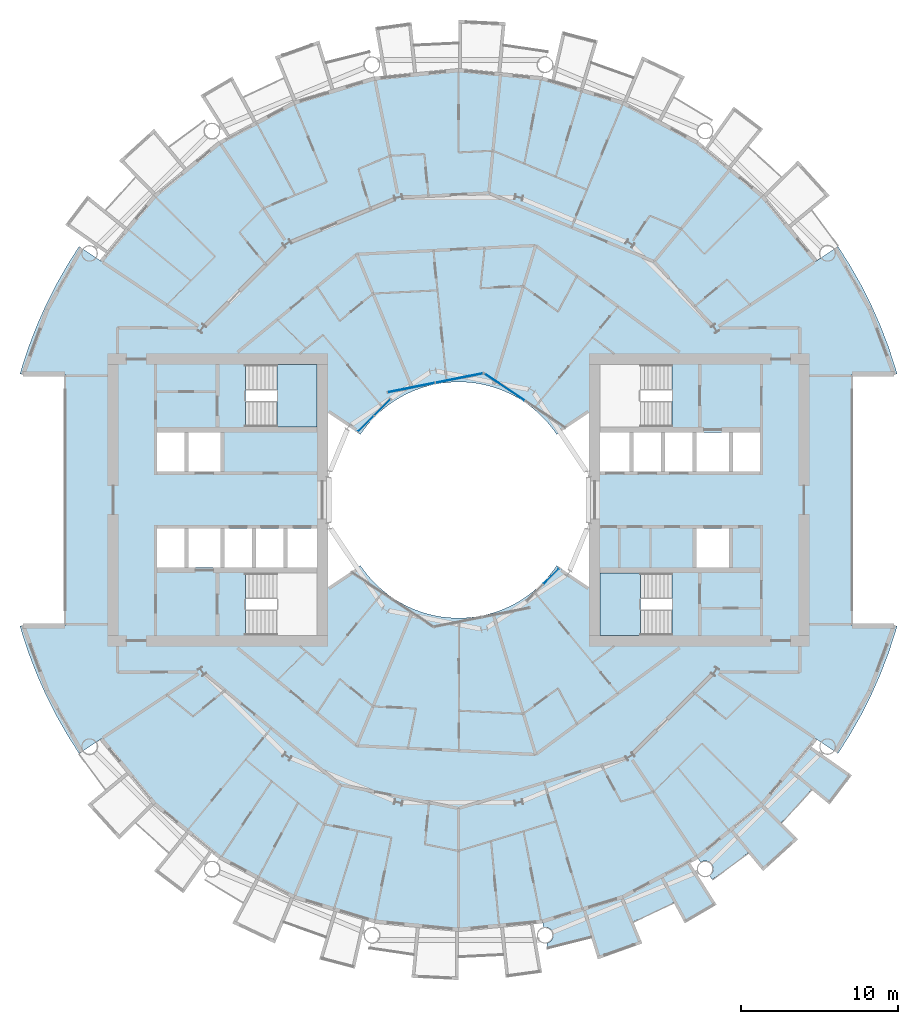
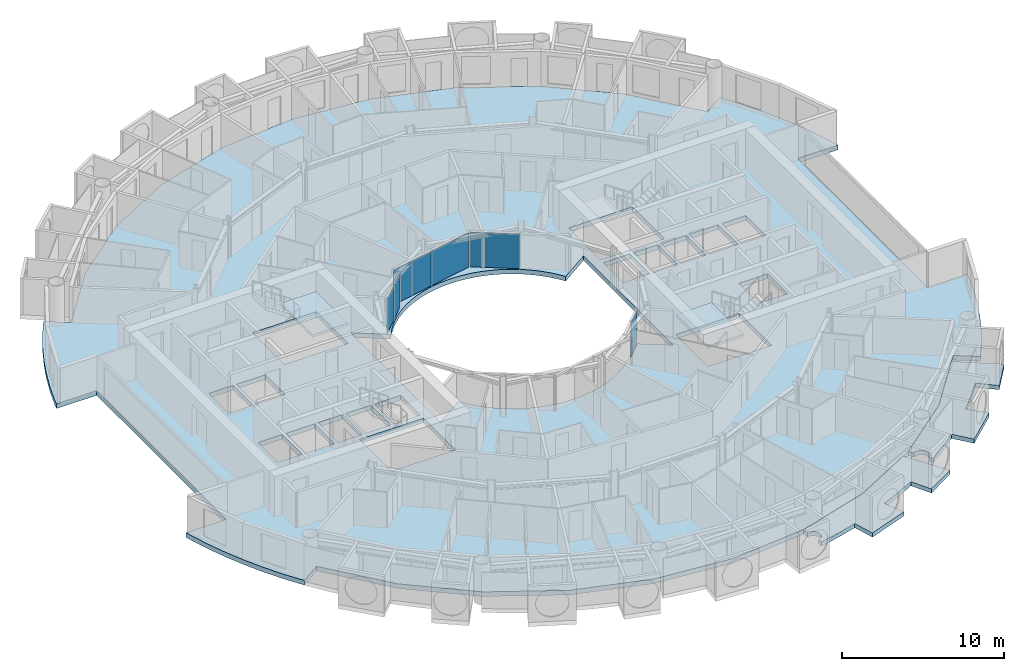
# One storey, part 10 of 26: 6 plates, 5 slabs, 6 elements without a shape of their own.
"""IFC4 building model written with IfcOpenShell, lengths in metres."""

from ifc_helpers import new_model, si_unit, direction, frame, origin, origin_2d, place, context, subcontext, project, spatial, polyline, rectangle, outline, extrude, material, layer, layer_set, type_object, element, aggregate, save


model = new_model("IFC4")

# Units and contexts
model_context = context("Model", 3, precision=1e-05, world=origin(), true_north=direction((0.0, 1.0)))
body_context = subcontext(model_context, "Body", "Model", "MODEL_VIEW")
ifc_project = project(units=[si_unit("LENGTHUNIT", "METRE"), si_unit("AREAUNIT", "SQUARE_METRE"), si_unit("VOLUMEUNIT", "CUBIC_METRE"), si_unit("PLANEANGLEUNIT", "RADIAN"), si_unit("MASSUNIT", "GRAM", prefix="KILO")], contexts=[model_context])

# Site, building, storey
site_placement = place(None, origin())
site = spatial("IfcSite", under=ifc_project, at=site_placement, CompositionType="ELEMENT")
building_placement = place(site_placement, origin())
building = spatial("IfcBuilding", under=site, at=building_placement, Name="Maasbend Ring Residences", CompositionType="ELEMENT")
storey_placement = place(building_placement, frame((0.0, 0.0, 69.699951171875)))
storey = spatial("IfcBuildingStorey", under=building, at=storey_placement, Name="L19", CompositionType="ELEMENT", Elevation=69.699951171875)

# Stair, slab
ifc_material_1 = material(Name="Concrete C40/50", Category="concrete")
stair_type = type_object("IfcStairType", Name="CORE STAIR 18 RISERS", PredefinedType="HALF_TURN_STAIR", material=ifc_material_1)
stair_1_placement = place(storey_placement, origin())
stair_1 = element("IfcStair", 1, at=stair_1_placement, inside=storey, type_object=stair_type, Name="L19 Exit stair ST-E2", PredefinedType="HALF_TURN_STAIR")
ifc_material_2 = material(Name="Concrete C40/50", Category="concrete")
ifc_layer_1 = layer(ifc_material_2, 0.199951171875)
ifc_layer_set_1 = layer_set([ifc_layer_1], Name="Concrete C40/50")
slab_type_1 = type_object("IfcSlabType", Name="CORE STAIR LANDING 200", PredefinedType="LANDING", material=ifc_layer_set_1)
slab_1_placement = place(storey_placement, frame((0.0, 0.0, 1.324951171875)))
slab_1 = element("IfcSlab", 2, at=slab_1_placement, type_object=slab_type_1, Name="ST-E2 landing 1", PredefinedType="LANDING", context=body_context, shape_type="SweptSolid", body=[
    extrude(outline(polyline([(11.550048828125, -4.64990234375), (9.0, -4.64990234375), (9.0, -8.60009765625), (11.550048828125, -8.60009765625), (11.550048828125, -4.64990234375)])), origin(), (0.0, 0.0, 1.0), 0.2001953125),
])
aggregate(stair_1, [slab_1])

stair_2_placement = place(storey_placement, origin())
stair_2 = element("IfcStair", 3, at=stair_2_placement, inside=storey, type_object=stair_type, Name="L19 Exit stair ST-W2", PredefinedType="HALF_TURN_STAIR")
slab_2_placement = place(storey_placement, frame((0.0, 0.0, 1.324951171875)))
slab_2 = element("IfcSlab", 4, at=slab_2_placement, type_object=slab_type_1, Name="ST-W2 landing 1", PredefinedType="LANDING", context=body_context, shape_type="SweptSolid", body=[
    extrude(outline(polyline([(-11.550048828125, 4.64990234375), (-9.0, 4.64990234375), (-9.0, 8.60009765625), (-11.550048828125, 8.60009765625), (-11.550048828125, 4.64990234375)])), origin(), (0.0, 0.0, 1.0), 0.2001953125),
])
aggregate(stair_2, [slab_2])

# Curtain wall, plate
ifc_material_3 = material(Name="Aluminium and clear glass", Category="aluminium")
ifc_layer_2 = layer(ifc_material_3, 0.179931640625)
ifc_layer_set_2 = layer_set([ifc_layer_2], Name="CW-W")
curtain_wall_type = type_object("IfcCurtainWallType", Name="CW-W", PredefinedType="NOTDEFINED", material=ifc_layer_set_2)
curtain_wall_1_placement = place(storey_placement, origin())
curtain_wall_1 = element("IfcCurtainWall", 5, at=curtain_wall_1_placement, inside=storey, type_object=curtain_wall_type, Name="Well curtain wall N1", PredefinedType="NOTDEFINED")
ifc_material_4 = material(Name="Glass clear laminated", Category="glass")
ifc_layer_3 = layer(ifc_material_4, 0.031982421875)
ifc_layer_set_3 = layer_set([ifc_layer_3], Name="CWP-W")
plate_type = type_object("IfcPlateType", Name="CWP-W", PredefinedType="CURTAIN_PANEL", material=ifc_layer_set_3)
plate_1_placement = place(storey_placement, frame((2.922119140625, 7.17578125, 0.0), z_axis=(0.0, 0.0, 1.0), x_axis=(-0.831469612303, 0.55557023302, 0.0)))
plate_1 = element("IfcPlate", 6, at=plate_1_placement, type_object=plate_type, Name="Glass panel well face", PredefinedType="CURTAIN_PANEL", context=body_context, shape_type="SweptSolid", body=[
    extrude(rectangle(XDim=3.053955078125, YDim=0.031982421875, at=origin_2d()), origin(), (0.0, 0.0, 1.0), 2.580078125),
])
aggregate(curtain_wall_1, [plate_1])

# Curtain wall, plates
curtain_wall_2_placement = place(storey_placement, origin())
curtain_wall_2 = element("IfcCurtainWall", 7, at=curtain_wall_2_placement, inside=storey, type_object=curtain_wall_type, Name="Well curtain wall N2", PredefinedType="NOTDEFINED")
plate_2_placement = place(storey_placement, frame((0.04638671875, 7.747802734375, 0.0), z_axis=(0.0, 0.0, 1.0), x_axis=(-0.980785280403, -0.195090322016, 0.0)))
plate_2 = element("IfcPlate", 8, at=plate_2_placement, type_object=plate_type, Name="Glass panel well face", PredefinedType="CURTAIN_PANEL", context=body_context, shape_type="SweptSolid", body=[
    extrude(rectangle(XDim=3.053955078125, YDim=0.031982421875, at=origin_2d()), origin(), (0.0, 0.0, 1.0), 2.580078125),
])
plate_3_placement = place(storey_placement, frame((-3.0078125, 7.140380859375, 0.0), z_axis=(0.0, 0.0, 1.0), x_axis=(-0.980785280403, -0.195090322016, 0.0)))
plate_3 = element("IfcPlate", 9, at=plate_3_placement, type_object=plate_type, Name="Glass panel well face", PredefinedType="CURTAIN_PANEL", context=body_context, shape_type="SweptSolid", body=[
    extrude(rectangle(XDim=3.053955078125, YDim=0.031982421875, at=origin_2d()), origin(), (0.0, 0.0, 1.0), 2.580078125),
])
aggregate(curtain_wall_2, [plate_2, plate_3])

curtain_wall_3_placement = place(storey_placement, origin())
curtain_wall_3 = element("IfcCurtainWall", 10, at=curtain_wall_3_placement, inside=storey, type_object=curtain_wall_type, Name="Well curtain wall N3", PredefinedType="NOTDEFINED")
plate_4_placement = place(storey_placement, frame((-4.84375, 5.89013671875, 0.0), z_axis=(0.0, 0.0, 1.0), x_axis=(-0.707106781187, -0.707106781187, 0.0)))
plate_4 = element("IfcPlate", 11, at=plate_4_placement, type_object=plate_type, Name="Glass panel well face", PredefinedType="CURTAIN_PANEL", context=body_context, shape_type="SweptSolid", body=[
    extrude(rectangle(XDim=1.419677734375, YDim=0.031982421875, at=origin_2d()), origin(), (0.0, 0.0, 1.0), 2.580078125),
])
plate_5_placement = place(storey_placement, frame((-5.89013671875, 4.84375, 0.0), z_axis=(0.0, 0.0, 1.0), x_axis=(-0.707106781187, -0.707106781187, 0.0)))
plate_5 = element("IfcPlate", 12, at=plate_5_placement, type_object=plate_type, Name="Glass panel well face", PredefinedType="CURTAIN_PANEL", context=body_context, shape_type="SweptSolid", body=[
    extrude(rectangle(XDim=1.419677734375, YDim=0.031982421875, at=origin_2d()), origin(), (0.0, 0.0, 1.0), 2.580078125),
])
aggregate(curtain_wall_3, [plate_4, plate_5])

# Curtain wall, plate
curtain_wall_4_placement = place(storey_placement, origin())
curtain_wall_4 = element("IfcCurtainWall", 13, at=curtain_wall_4_placement, inside=storey, type_object=curtain_wall_type, Name="Well curtain wall S3", PredefinedType="NOTDEFINED")
plate_6_placement = place(storey_placement, frame((5.89013671875, -4.84375, 0.0), z_axis=(0.0, 0.0, 1.0), x_axis=(0.707106781187, 0.707106781187, 0.0)))
plate_6 = element("IfcPlate", 14, at=plate_6_placement, type_object=plate_type, Name="Glass panel well face", PredefinedType="CURTAIN_PANEL", context=body_context, shape_type="SweptSolid", body=[
    extrude(rectangle(XDim=1.419677734375, YDim=0.031982421875, at=origin_2d()), origin(), (0.0, 0.0, 1.0), 2.580078125),
])
aggregate(curtain_wall_4, [plate_6])

# Slabs
ifc_material_5 = material(Name="Concrete C40/50", Category="concrete")
ifc_layer_4 = layer(ifc_material_5, 0.35009765625)
ifc_layer_set_4 = layer_set([ifc_layer_4], Name="Concrete C40/50")
slab_type_2 = type_object("IfcSlabType", Name="Post-tensioned flat plate 350", PredefinedType="FLOOR", material=ifc_layer_set_4)
slab_3_placement = place(storey_placement, frame((0.0, 0.0, -0.349853515625)))
element("IfcSlab", 15, at=slab_3_placement, inside=storey, type_object=slab_type_2, Name="Floor slab L19", PredefinedType="FLOOR", context=body_context, shape_type="SweptSolid", body=[
    extrude(outline(polyline([(24.8740234375, -14.908935546875), (25.57568359375, -13.67041015625), (26.2158203125, -12.399169921875), (26.79248046875, -11.097900390625), (27.3046875, -9.769775390625), (27.751220703125, -8.418212890625), (27.866943359375, -8.0), (25.0, -8.0), (25.0, 8.0), (27.866943359375, 8.0), (27.751220703125, 8.418212890625), (27.3046875, 9.769775390625), (26.79248046875, 11.097900390625), (26.2158203125, 12.399169921875), (25.57568359375, 13.67041015625), (24.8740234375, 14.908935546875), (24.112548828125, 16.111572265625), (22.69921875, 15.1669921875), (19.303955078125, 19.303955078125), (15.1669921875, 22.69921875), (10.447265625, 25.221923828125), (5.325927734375, 26.775390625), (0.0, 27.300048828125), (-5.325927734375, 26.775390625), (-10.447265625, 25.221923828125), (-15.1669921875, 22.69921875), (-19.303955078125, 19.303955078125), (-22.69921875, 15.1669921875), (-24.112548828125, 16.111572265625), (-24.8740234375, 14.908935546875), (-25.57568359375, 13.67041015625), (-26.2158203125, 12.399169921875), (-26.79248046875, 11.097900390625), (-27.3046875, 9.769775390625), (-27.751220703125, 8.418212890625), (-27.866943359375, 8.0), (-25.0, 8.0), (-25.0, -8.0), (-27.866943359375, -8.0), (-27.751220703125, -8.418212890625), (-27.3046875, -9.769775390625), (-26.79248046875, -11.097900390625), (-26.2158203125, -12.399169921875), (-25.57568359375, -13.67041015625), (-24.8740234375, -14.908935546875), (-24.112548828125, -16.111572265625), (-22.69921875, -15.1669921875), (-19.303955078125, -19.303955078125), (-15.1669921875, -22.69921875), (-10.447265625, -25.221923828125), (-5.325927734375, -26.775390625), (0.0, -27.300048828125), (5.325927734375, -26.775390625), (10.447265625, -25.221923828125), (15.1669921875, -22.69921875), (19.303955078125, -19.303955078125), (22.69921875, -15.1669921875), (24.112548828125, -16.111572265625), (24.8740234375, -14.908935546875)]), holes=[polyline([(17.425048828125, 4.27490234375), (19.14990234375, 4.27490234375), (19.14990234375, 1.824951171875), (17.425048828125, 1.824951171875), (17.425048828125, 4.27490234375)]), polyline([(15.125, 1.824951171875), (15.125, 4.27490234375), (17.175048828125, 4.27490234375), (17.175048828125, 1.824951171875), (15.125, 1.824951171875)]), polyline([(15.125, -4.27490234375), (15.125, -1.824951171875), (17.175048828125, -1.824951171875), (17.175048828125, -4.27490234375), (15.125, -4.27490234375)]), polyline([(13.125, 1.824951171875), (13.125, 4.27490234375), (14.875, 4.27490234375), (14.875, 1.824951171875), (13.125, 1.824951171875)]), polyline([(13.550048828125, 4.64990234375), (9.0, 4.64990234375), (9.0, 8.60009765625), (13.550048828125, 8.60009765625), (13.550048828125, 4.64990234375)]), polyline([(13.550048828125, -4.64990234375), (13.550048828125, -8.60009765625), (9.0, -8.60009765625), (9.0, -4.64990234375), (13.550048828125, -4.64990234375)]), polyline([(11.125, 1.824951171875), (11.125, 4.27490234375), (12.875, 4.27490234375), (12.875, 1.824951171875), (11.125, 1.824951171875)]), polyline([(9.0, 1.824951171875), (9.0, 4.27490234375), (10.875, 4.27490234375), (10.875, 1.824951171875), (9.0, 1.824951171875)]), polyline([(6.024169921875, 4.4677734375), (6.236083984375, 4.166748046875), (8.300048828125, 5.5458984375), (8.300048828125, -5.5458984375), (6.236083984375, -4.166748046875), (6.024169921875, -4.4677734375), (5.797607421875, -4.7578125), (5.55712890625, -5.03662109375), (5.30322265625, -5.30322265625), (5.03662109375, -5.55712890625), (4.7578125, -5.797607421875), (4.4677734375, -6.024169921875), (4.166748046875, -6.236083984375), (3.855712890625, -6.43310546875), (3.535400390625, -6.614501953125), (3.206787109375, -6.77978515625), (2.8701171875, -6.92919921875), (2.526611328125, -7.0615234375), (2.177001953125, -7.177001953125), (1.822509765625, -7.275146484375), (1.463134765625, -7.35595703125), (1.1005859375, -7.418701171875), (0.735107421875, -7.4638671875), (0.367919921875, -7.490966796875), (0.0, -7.5), (-0.367919921875, -7.490966796875), (-0.735107421875, -7.4638671875), (-1.1005859375, -7.418701171875), (-1.463134765625, -7.35595703125), (-1.822509765625, -7.275146484375), (-2.177001953125, -7.177001953125), (-2.526611328125, -7.0615234375), (-2.8701171875, -6.92919921875), (-3.206787109375, -6.77978515625), (-3.535400390625, -6.614501953125), (-3.855712890625, -6.43310546875), (-4.166748046875, -6.236083984375), (-4.4677734375, -6.024169921875), (-4.7578125, -5.797607421875), (-5.03662109375, -5.55712890625), (-5.30322265625, -5.30322265625), (-5.55712890625, -5.03662109375), (-5.797607421875, -4.7578125), (-6.024169921875, -4.4677734375), (-6.236083984375, -4.166748046875), (-8.300048828125, -5.5458984375), (-8.300048828125, 5.5458984375), (-6.236083984375, 4.166748046875), (-6.236083984375, 4.166748046875), (-6.024169921875, 4.4677734375), (-5.797607421875, 4.7578125), (-5.55712890625, 5.03662109375), (-5.30322265625, 5.30322265625), (-5.03662109375, 5.55712890625), (-4.7578125, 5.797607421875), (-4.4677734375, 6.024169921875), (-4.166748046875, 6.236083984375), (-3.855712890625, 6.43310546875), (-3.535400390625, 6.614501953125), (-3.206787109375, 6.77978515625), (-2.8701171875, 6.92919921875), (-2.526611328125, 7.0615234375), (-2.177001953125, 7.177001953125), (-1.822509765625, 7.275146484375), (-1.463134765625, 7.35595703125), (-1.1005859375, 7.418701171875), (-0.735107421875, 7.4638671875), (-0.367919921875, 7.490966796875), (0.0, 7.5), (0.367919921875, 7.490966796875), (0.735107421875, 7.4638671875), (1.1005859375, 7.418701171875), (1.463134765625, 7.35595703125), (1.822509765625, 7.275146484375), (2.177001953125, 7.177001953125), (2.526611328125, 7.0615234375), (2.8701171875, 6.92919921875), (3.206787109375, 6.77978515625), (3.535400390625, 6.614501953125), (3.855712890625, 6.43310546875), (4.166748046875, 6.236083984375), (4.4677734375, 6.024169921875), (4.7578125, 5.797607421875), (5.03662109375, 5.55712890625), (5.30322265625, 5.30322265625), (5.55712890625, 5.03662109375), (5.797607421875, 4.7578125), (6.024169921875, 4.4677734375)]), polyline([(-13.550048828125, 4.64990234375), (-13.550048828125, 8.60009765625), (-9.0, 8.60009765625), (-9.0, 4.64990234375), (-13.550048828125, 4.64990234375)]), polyline([(-13.550048828125, -8.60009765625), (-13.550048828125, -4.64990234375), (-9.0, -4.64990234375), (-9.0, -8.60009765625), (-13.550048828125, -8.60009765625)]), polyline([(-9.0, -1.824951171875), (-9.0, -4.27490234375), (-10.875, -4.27490234375), (-10.875, -1.824951171875), (-9.0, -1.824951171875)]), polyline([(-11.125, -1.824951171875), (-11.125, -4.27490234375), (-12.875, -4.27490234375), (-12.875, -1.824951171875), (-11.125, -1.824951171875)]), polyline([(-13.125, -1.824951171875), (-13.125, -4.27490234375), (-14.875, -4.27490234375), (-14.875, -1.824951171875), (-13.125, -1.824951171875)]), polyline([(-15.125, 4.27490234375), (-15.125, 1.824951171875), (-17.175048828125, 1.824951171875), (-17.175048828125, 4.27490234375), (-15.125, 4.27490234375)]), polyline([(-15.125, -1.824951171875), (-15.125, -4.27490234375), (-17.175048828125, -4.27490234375), (-17.175048828125, -1.824951171875), (-15.125, -1.824951171875)]), polyline([(-17.425048828125, -1.824951171875), (-17.425048828125, -4.27490234375), (-19.14990234375, -4.27490234375), (-19.14990234375, -1.824951171875), (-17.425048828125, -1.824951171875)]), polyline([(-17.425048828125, 4.27490234375), (-17.425048828125, 1.824951171875), (-19.14990234375, 1.824951171875), (-19.14990234375, 4.27490234375), (-17.425048828125, 4.27490234375)])]), origin(), (0.0, 0.0, 1.0), 0.349853515625),
])
ifc_material_6 = material(Name="Concrete C40/50", Category="concrete")
ifc_layer_5 = layer(ifc_material_6, 0.199951171875)
ifc_layer_set_5 = layer_set([ifc_layer_5], Name="Concrete C40/50")
slab_type_3 = type_object("IfcSlabType", Name="SL-LOGGIA", PredefinedType="FLOOR", material=ifc_layer_set_5)
slab_4_placement = place(storey_placement, frame((0.0, 0.0, -0.349853515625)))
element("IfcSlab", 16, at=slab_4_placement, inside=storey, type_object=slab_type_3, Name="Loggia floor 2", PredefinedType="FLOOR", context=body_context, shape_type="SweptSolid", body=[
    extrude(outline(polyline([(10.447021484375, -25.221923828125), (12.806884765625, -23.9609375), (14.64599609375, -22.97705078125), (14.64599609375, -22.97705078125), (14.64599609375, -22.97705078125), (16.39404296875, -25.718994140625), (16.39404296875, -25.718994140625), (16.39404296875, -25.718994140625), (14.3779296875, -26.89892578125), (14.3779296875, -26.89892578125), (14.3779296875, -26.89892578125), (13.6708984375, -25.575927734375), (13.6708984375, -25.575927734375), (13.6708984375, -25.575927734375), (13.6708984375, -25.575927734375), (13.6708984375, -25.575927734375), (13.6708984375, -25.575927734375), (13.6708984375, -25.575927734375), (13.669921875, -25.575927734375), (13.669921875, -25.575927734375), (13.669921875, -25.575927734375), (13.669921875, -25.575927734375), (13.669921875, -25.575927734375), (13.669921875, -25.575927734375), (13.669921875, -25.575927734375), (13.669921875, -25.575927734375), (13.669921875, -25.575927734375), (13.669921875, -25.575927734375), (12.825927734375, -26.009033203125), (12.825927734375, -26.009033203125), (11.968994140625, -26.4150390625), (11.968994140625, -26.4150390625), (11.097900390625, -26.7919921875), (11.097900390625, -26.7919921875), (11.097900390625, -26.7919921875), (11.097900390625, -26.7919921875), (11.097900390625, -26.7919921875), (11.097900390625, -26.7919921875), (11.097900390625, -26.7919921875), (11.097900390625, -26.79296875), (11.097900390625, -26.79296875), (11.097900390625, -26.79296875), (11.097900390625, -26.79296875), (11.097900390625, -26.79296875), (11.097900390625, -26.79296875), (11.097900390625, -26.79296875), (11.097900390625, -26.79296875), (11.097900390625, -26.79296875), (11.097900390625, -26.79296875), (11.672119140625, -28.177978515625), (11.672119140625, -28.177978515625), (11.672119140625, -28.177978515625), (8.85400390625, -29.18701171875), (8.85400390625, -29.18701171875), (8.85400390625, -29.18701171875), (8.41796875, -27.751953125), (8.41796875, -27.751953125), (8.41796875, -27.751953125), (8.41796875, -27.751953125), (8.41796875, -27.751953125), (8.41796875, -27.751953125), (8.41796875, -27.751953125), (8.41796875, -27.7509765625), (8.41796875, -27.7509765625), (8.41796875, -27.7509765625), (8.41796875, -27.7509765625), (8.41796875, -27.7509765625), (8.41796875, -27.7509765625), (8.41796875, -27.7509765625), (8.41796875, -27.7509765625), (8.41796875, -27.7509765625), (8.41796875, -27.7509765625), (7.506103515625, -28.011962890625), (7.506103515625, -28.011962890625), (6.5849609375, -28.241943359375), (6.5849609375, -28.241943359375), (5.657958984375, -28.443115234375), (5.657958984375, -28.443115234375), (5.657958984375, -28.443115234375), (5.60107421875, -28.156005859375), (5.613037109375, -28.154052734375), (5.625, -28.15087890625), (5.636962890625, -28.14794921875), (5.64892578125, -28.14404296875), (5.660888671875, -28.139892578125), (5.673095703125, -28.135986328125), (5.68408203125, -28.132080078125), (5.696044921875, -28.126953125), (5.70703125, -28.123046875), (5.718994140625, -28.116943359375), (5.72998046875, -28.112060546875), (5.740966796875, -28.10595703125), (5.751953125, -28.10009765625), (5.762939453125, -28.093994140625), (5.77294921875, -28.0869140625), (5.783935546875, -28.080078125), (5.7939453125, -28.072998046875), (5.803955078125, -28.06591796875), (5.81396484375, -28.05908203125), (5.823974609375, -28.051025390625), (5.8330078125, -28.04296875), (5.843017578125, -28.034912109375), (5.85205078125, -28.02587890625), (5.861083984375, -28.01708984375), (5.868896484375, -28.008056640625), (5.8779296875, -27.9990234375), (5.885986328125, -27.989990234375), (5.89404296875, -27.97998046875), (5.902099609375, -27.970947265625), (5.909912109375, -27.9609375), (5.9169921875, -27.950927734375), (5.924072265625, -27.93994140625), (5.930908203125, -27.929931640625), (5.93701171875, -27.9189453125), (5.944091796875, -27.907958984375), (5.949951171875, -27.89794921875), (5.955078125, -27.886962890625), (5.9609375, -27.875), (5.966064453125, -27.864013671875), (5.970947265625, -27.85302734375), (5.97509765625, -27.841064453125), (5.97998046875, -27.8291015625), (5.98388671875, -27.81689453125), (5.988037109375, -27.805908203125), (5.990966796875, -27.7939453125), (5.993896484375, -27.781982421875), (5.9970703125, -27.76904296875), (6.0, -27.757080078125), (6.001953125, -27.7451171875), (6.00390625, -27.73291015625), (6.006103515625, -27.719970703125), (6.007080078125, -27.7080078125), (6.008056640625, -27.695068359375), (6.009033203125, -27.68310546875), (6.009033203125, -27.6708984375), (6.010009765625, -27.657958984375), (6.009033203125, -27.64599609375), (6.009033203125, -27.633056640625), (6.008056640625, -27.62109375), (6.007080078125, -27.60791015625), (6.006103515625, -27.595947265625), (6.00390625, -27.583984375), (6.001953125, -27.571044921875), (6.0, -27.55908203125), (5.9970703125, -27.547119140625), (5.993896484375, -27.534912109375), (5.990966796875, -27.52294921875), (5.988037109375, -27.510986328125), (5.98388671875, -27.4990234375), (5.97998046875, -27.487060546875), (5.97509765625, -27.47509765625), (5.970947265625, -27.464111328125), (5.966064453125, -27.451904296875), (5.9609375, -27.44091796875), (5.955078125, -27.429931640625), (5.949951171875, -27.4189453125), (5.944091796875, -27.407958984375), (5.93701171875, -27.39697265625), (5.930908203125, -27.385986328125), (5.924072265625, -27.3759765625), (5.9169921875, -27.365966796875), (5.909912109375, -27.35498046875), (5.902099609375, -27.345947265625), (5.89404296875, -27.3359375), (5.885986328125, -27.325927734375), (5.8779296875, -27.31689453125), (5.868896484375, -27.30810546875), (5.861083984375, -27.299072265625), (5.85205078125, -27.2900390625), (5.843017578125, -27.281982421875), (5.8330078125, -27.27294921875), (5.823974609375, -27.264892578125), (5.81396484375, -27.258056640625), (5.803955078125, -27.25), (5.7939453125, -27.242919921875), (5.783935546875, -27.236083984375), (5.77294921875, -27.22900390625), (5.762939453125, -27.221923828125), (5.751953125, -27.216064453125), (5.740966796875, -27.2099609375), (5.72998046875, -27.2041015625), (5.718994140625, -27.198974609375), (5.70703125, -27.194091796875), (5.696044921875, -27.18896484375), (5.68408203125, -27.18408203125), (5.673095703125, -27.179931640625), (5.660888671875, -27.176025390625), (5.64892578125, -27.172119140625), (5.636962890625, -27.1689453125), (5.625, -27.1650390625), (5.613037109375, -27.162109375), (5.60107421875, -27.159912109375), (5.587890625, -27.157958984375), (5.575927734375, -27.156005859375), (5.56396484375, -27.154052734375), (5.551025390625, -27.153076171875), (5.5390625, -27.15087890625), (5.52587890625, -27.15087890625), (5.513916015625, -27.14990234375), (5.501953125, -27.14990234375), (5.489013671875, -27.14990234375), (5.47705078125, -27.15087890625), (5.464111328125, -27.15087890625), (5.451904296875, -27.153076171875), (5.43896484375, -27.154052734375), (5.427001953125, -27.156005859375), (5.4150390625, -27.157958984375), (5.402099609375, -27.159912109375), (5.325927734375, -26.77490234375), (5.325927734375, -26.77490234375), (5.325927734375, -26.77490234375), (7.886962890625, -25.9990234375), (10.447021484375, -25.221923828125), (10.447021484375, -25.221923828125), (10.447021484375, -25.221923828125)])), origin(), (0.0, 0.0, 1.0), 0.31982421875),
])
slab_5_placement = place(storey_placement, frame((0.0, 0.0, -0.349853515625)))
element("IfcSlab", 17, at=slab_5_placement, inside=storey, type_object=slab_type_3, Name="Loggia floor 5", PredefinedType="FLOOR", context=body_context, shape_type="SweptSolid", body=[
    extrude(outline(polyline([(19.303955078125, -19.303955078125), (21.001953125, -17.236083984375), (22.324951171875, -15.623046875), (22.324951171875, -15.623046875), (22.324951171875, -15.623046875), (24.989013671875, -17.488037109375), (24.989013671875, -17.488037109375), (24.989013671875, -17.488037109375), (23.576904296875, -19.34912109375), (23.576904296875, -19.34912109375), (23.576904296875, -19.34912109375), (22.41796875, -18.39794921875), (22.41796875, -18.39794921875), (22.41796875, -18.39794921875), (22.41796875, -18.39794921875), (22.41796875, -18.39794921875), (22.4169921875, -18.39794921875), (22.4169921875, -18.39794921875), (22.4169921875, -18.39794921875), (22.4169921875, -18.39794921875), (22.4169921875, -18.39794921875), (22.4169921875, -18.39794921875), (22.4169921875, -18.39794921875), (22.4169921875, -18.39794921875), (22.4169921875, -18.39794921875), (22.4169921875, -18.39794921875), (22.4169921875, -18.39794921875), (22.4169921875, -18.39794921875), (21.802978515625, -19.12109375), (21.802978515625, -19.12109375), (21.166015625, -19.823974609375), (21.166015625, -19.823974609375), (20.506103515625, -20.506103515625), (20.506103515625, -20.506103515625), (20.506103515625, -20.506103515625), (20.506103515625, -20.506103515625), (20.506103515625, -20.506103515625), (20.506103515625, -20.506103515625), (20.506103515625, -20.506103515625), (20.506103515625, -20.506103515625), (20.506103515625, -20.506103515625), (20.506103515625, -20.506103515625), (20.506103515625, -20.506103515625), (20.506103515625, -20.506103515625), (20.506103515625, -20.506103515625), (20.506103515625, -20.506103515625), (20.506103515625, -20.506103515625), (20.506103515625, -20.506103515625), (20.506103515625, -20.506103515625), (21.56689453125, -21.56689453125), (21.56689453125, -21.56689453125), (21.56689453125, -21.56689453125), (19.34912109375, -23.576904296875), (19.34912109375, -23.576904296875), (19.34912109375, -23.576904296875), (18.39794921875, -22.41796875), (18.39794921875, -22.41796875), (18.39794921875, -22.41796875), (18.39794921875, -22.41796875), (18.39794921875, -22.41796875), (18.39794921875, -22.41796875), (18.39697265625, -22.41796875), (18.39697265625, -22.41796875), (18.39697265625, -22.41796875), (18.39697265625, -22.41796875), (18.39697265625, -22.41796875), (18.39697265625, -22.41796875), (18.39697265625, -22.41796875), (18.39697265625, -22.41796875), (18.39697265625, -22.41796875), (18.39697265625, -22.41796875), (18.39697265625, -22.41796875), (17.654052734375, -23.007080078125), (17.654052734375, -23.007080078125), (16.89208984375, -23.572998046875), (16.89208984375, -23.572998046875), (16.112060546875, -24.113037109375), (16.112060546875, -24.113037109375), (16.112060546875, -24.113037109375), (15.948974609375, -23.8701171875), (15.948974609375, -23.8701171875), (15.9599609375, -23.863037109375), (15.969970703125, -23.85498046875), (15.97998046875, -23.847900390625), (15.989013671875, -23.840087890625), (15.9990234375, -23.83203125), (16.008056640625, -23.823974609375), (16.01708984375, -23.81494140625), (16.02587890625, -23.806884765625), (16.034912109375, -23.798095703125), (16.0439453125, -23.7890625), (16.052001953125, -23.779052734375), (16.06005859375, -23.77001953125), (16.068115234375, -23.760009765625), (16.074951171875, -23.75), (16.08203125, -23.739990234375), (16.089111328125, -23.72998046875), (16.095947265625, -23.718994140625), (16.10302734375, -23.708984375), (16.10888671875, -23.697998046875), (16.114990234375, -23.68701171875), (16.12109375, -23.676025390625), (16.1259765625, -23.6650390625), (16.132080078125, -23.653076171875), (16.135986328125, -23.64208984375), (16.14111328125, -23.6298828125), (16.14501953125, -23.618896484375), (16.14892578125, -23.60693359375), (16.153076171875, -23.594970703125), (16.156982421875, -23.5830078125), (16.159912109375, -23.571044921875), (16.1630859375, -23.55908203125), (16.1650390625, -23.547119140625), (16.16796875, -23.533935546875), (16.169921875, -23.52197265625), (16.1708984375, -23.510009765625), (16.173095703125, -23.4970703125), (16.174072265625, -23.485107421875), (16.174072265625, -23.471923828125), (16.175048828125, -23.4599609375), (16.175048828125, -23.447021484375), (16.175048828125, -23.43505859375), (16.174072265625, -23.422119140625), (16.174072265625, -23.409912109375), (16.173095703125, -23.39794921875), (16.1708984375, -23.385009765625), (16.169921875, -23.373046875), (16.16796875, -23.361083984375), (16.1650390625, -23.347900390625), (16.1630859375, -23.3359375), (16.159912109375, -23.323974609375), (16.156982421875, -23.31201171875), (16.153076171875, -23.300048828125), (16.14892578125, -23.2880859375), (16.14501953125, -23.27587890625), (16.14111328125, -23.264892578125), (16.135986328125, -23.2529296875), (16.132080078125, -23.241943359375), (16.1259765625, -23.22998046875), (16.12109375, -23.218994140625), (16.114990234375, -23.2080078125), (16.10888671875, -23.197021484375), (16.10302734375, -23.18603515625), (16.095947265625, -23.176025390625), (16.089111328125, -23.1650390625), (16.08203125, -23.155029296875), (16.074951171875, -23.14501953125), (16.068115234375, -23.135009765625), (16.06005859375, -23.125), (16.052001953125, -23.115966796875), (16.0439453125, -23.10595703125), (16.034912109375, -23.096923828125), (16.02587890625, -23.087890625), (16.01708984375, -23.0791015625), (16.008056640625, -23.071044921875), (15.9990234375, -23.06298828125), (15.989013671875, -23.054931640625), (15.97998046875, -23.047119140625), (15.969970703125, -23.0390625), (15.9599609375, -23.031982421875), (15.948974609375, -23.02490234375), (15.93896484375, -23.01806640625), (15.927978515625, -23.011962890625), (15.9169921875, -23.0048828125), (15.906982421875, -22.9990234375), (15.89599609375, -22.993896484375), (15.884033203125, -22.988037109375), (15.873046875, -22.98291015625), (15.862060546875, -22.97802734375), (15.85009765625, -22.972900390625), (15.837890625, -22.968994140625), (15.825927734375, -22.965087890625), (15.81494140625, -22.9609375), (15.802978515625, -22.9580078125), (15.791015625, -22.955078125), (15.778076171875, -22.951904296875), (15.76611328125, -22.948974609375), (15.75390625, -22.947021484375), (15.741943359375, -22.945068359375), (15.72900390625, -22.943115234375), (15.717041015625, -22.94189453125), (15.7041015625, -22.94091796875), (15.69189453125, -22.93994140625), (15.679931640625, -22.93994140625), (15.6669921875, -22.93896484375), (15.655029296875, -22.93994140625), (15.64208984375, -22.93994140625), (15.6298828125, -22.94091796875), (15.616943359375, -22.94189453125), (15.60498046875, -22.943115234375), (15.593017578125, -22.945068359375), (15.580078125, -22.947021484375), (15.568115234375, -22.948974609375), (15.555908203125, -22.951904296875), (15.5439453125, -22.955078125), (15.531982421875, -22.9580078125), (15.52001953125, -22.9609375), (15.508056640625, -22.965087890625), (15.49609375, -22.968994140625), (15.48388671875, -22.972900390625), (15.472900390625, -22.97802734375), (15.4609375, -22.98291015625), (15.449951171875, -22.988037109375), (15.43896484375, -22.993896484375), (15.427978515625, -22.9990234375), (15.4169921875, -23.0048828125), (15.406005859375, -23.011962890625), (15.39501953125, -23.01806640625), (15.385009765625, -23.02490234375), (15.385009765625, -23.02490234375), (15.1669921875, -22.698974609375), (15.1669921875, -22.698974609375), (15.1669921875, -22.698974609375), (17.236083984375, -21.001953125), (19.303955078125, -19.303955078125), (19.303955078125, -19.303955078125), (19.303955078125, -19.303955078125)])), origin(), (0.0, 0.0, 1.0), 0.31982421875),
])

save(model, "model.ifc")
